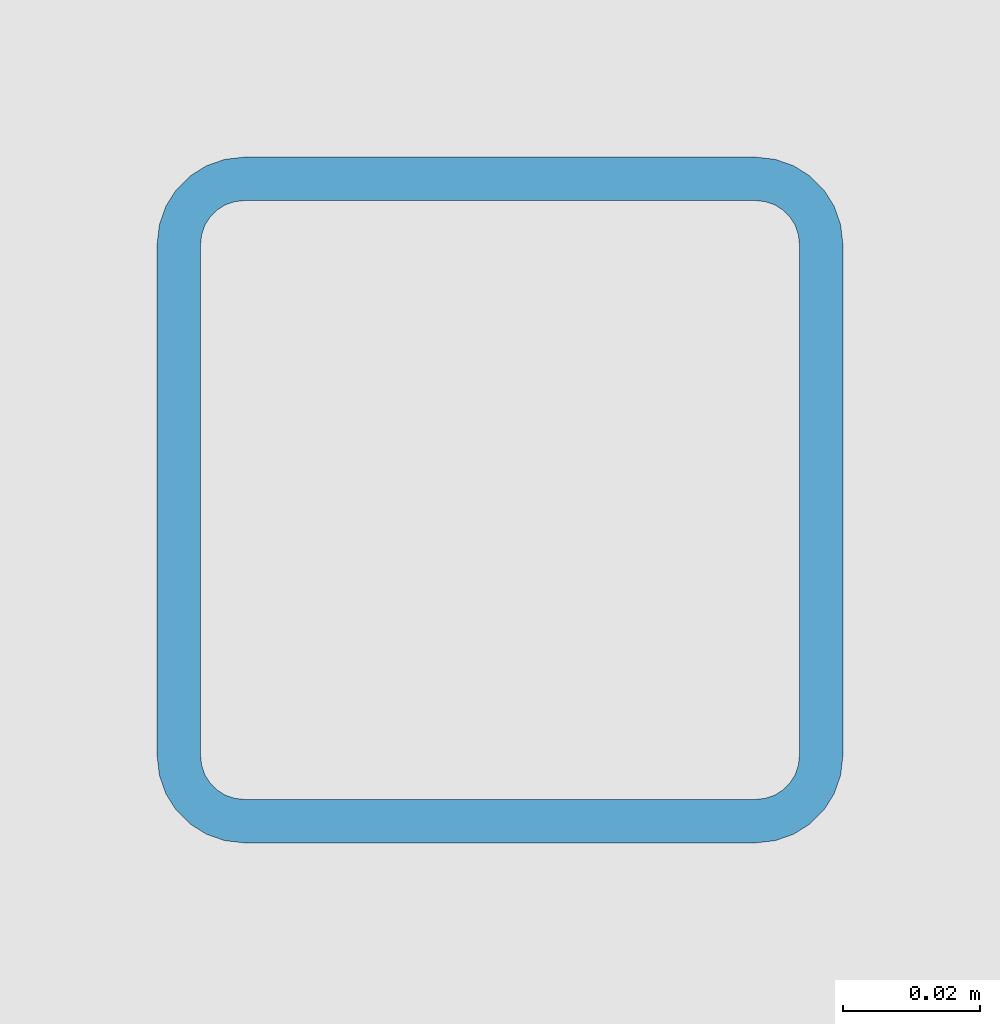
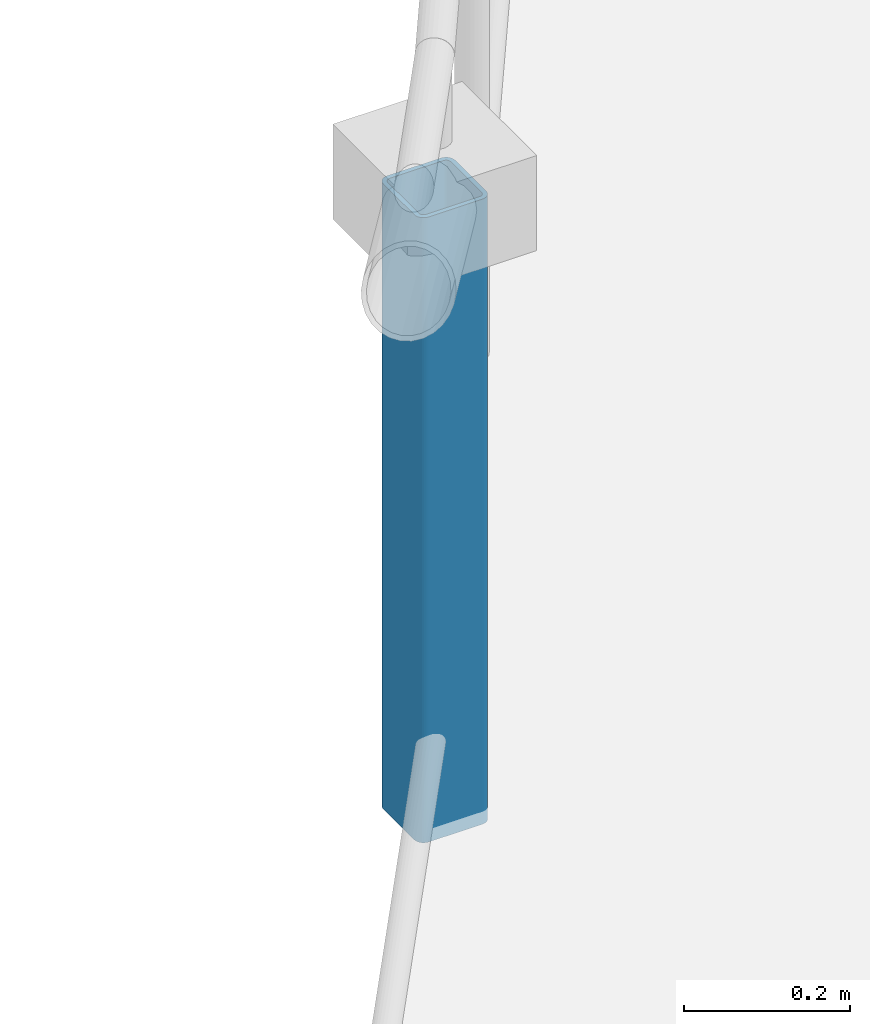
# One storey, part 19 of 58: 1 member.
"""IFC4 building model written with IfcOpenShell, lengths in metres."""

from ifc_helpers import new_model, si_unit, direction, frame, origin, origin_2d, place, context, subcontext, project, spatial, hollow_rectangle, extrude, material, material_profile, profile_set, type_object, element, save


model = new_model("IFC4")

# Units and contexts
model_context = context("Model", 3, precision=1e-05, world=origin(), true_north=direction((0.0, 1.0)))
body_context = subcontext(model_context, "Body", "Model", "MODEL_VIEW")
ifc_project = project(units=[si_unit("LENGTHUNIT", "METRE"), si_unit("AREAUNIT", "SQUARE_METRE"), si_unit("VOLUMEUNIT", "CUBIC_METRE"), si_unit("PLANEANGLEUNIT", "RADIAN"), si_unit("MASSUNIT", "GRAM", prefix="KILO"), si_unit("POWERUNIT", "WATT"), si_unit("THERMODYNAMICTEMPERATUREUNIT", "KELVIN")], contexts=[model_context])

# Site, building, storey
site_placement = place(None, origin())
site = spatial("IfcSite", under=ifc_project, at=site_placement, CompositionType="ELEMENT")
building_placement = place(site_placement, origin())
building = spatial("IfcBuilding", under=site, at=building_placement, Name="Ruvembo Vaulted Housing Court", CompositionType="ELEMENT")
storey_placement = place(building_placement, frame((0.0, 0.0, 20.5)))
storey = spatial("IfcBuildingStorey", under=building, at=storey_placement, Name="L06", CompositionType="ELEMENT", Elevation=20.5)

# Member
ifc_material = material(Name="Steel S355J2", Category="steel")
ifc_material_profile = material_profile(ifc_material, hollow_rectangle(XDim=0.10009765625, YDim=0.10009765625, WallThickness=0.00634765625, InnerFilletRadius=0.00634765625, OuterFilletRadius=0.0126953125, at=origin_2d()), Name="SHS 100x100x6.3")
ifc_profile_set = profile_set([ifc_material_profile], Name="Steel S355J2")
member_type = type_object("IfcMemberType", Name="MEM-FRM-SHS100", PredefinedType="STRUT", material=ifc_profile_set)
member_placement = place(storey_placement, frame((40.0087890625, 48.446533203125, -0.02001953125), z_axis=(0.0, 0.0, 1.0), x_axis=(1.0, 0.0, 0.0)))
element("IfcMember", 1, at=member_placement, inside=storey, type_object=member_type, Name="Scoop SC1 L06 Upswept Post 3B", PredefinedType="STRUT", context=body_context, shape_type="SweptSolid", body=[
    extrude(hollow_rectangle(XDim=0.10009765625, YDim=0.10009765625, WallThickness=0.00634765625, InnerFilletRadius=0.00634765625, OuterFilletRadius=0.0126953125, at=origin_2d()), origin(), (0.0, 0.0, 1.0), 0.919921875),
])

save(model, "model.ifc")
